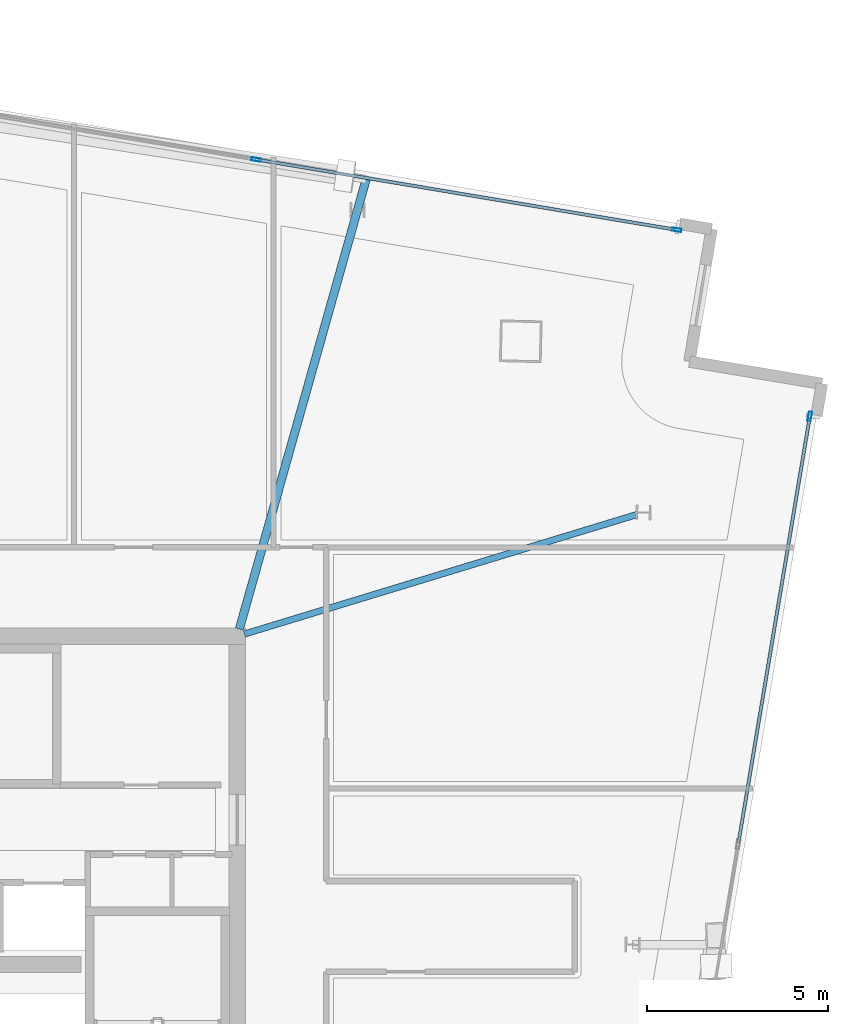
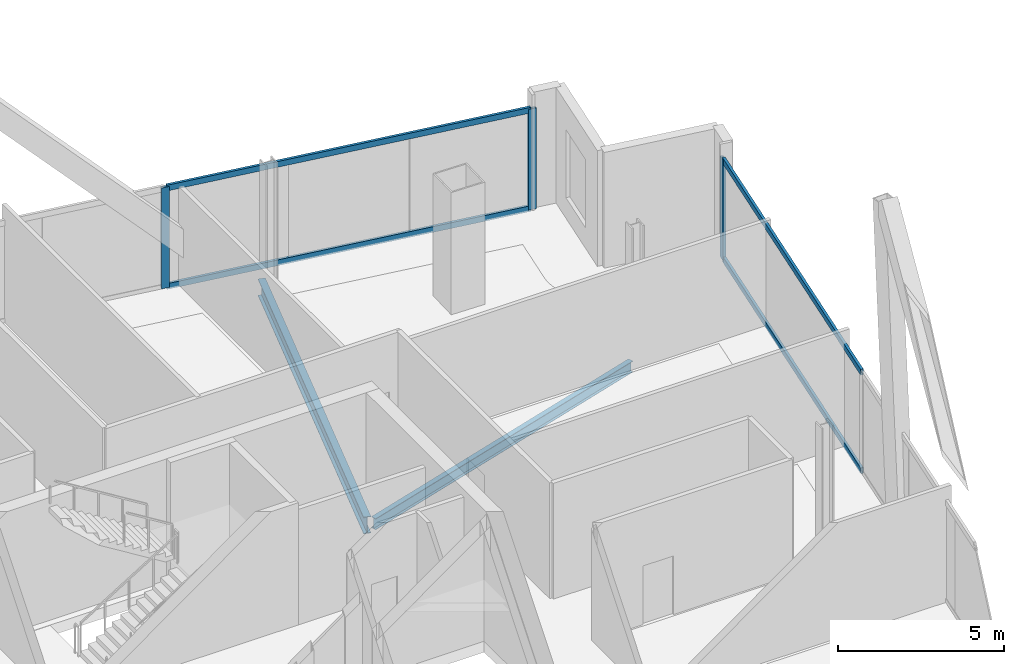
# One storey, part 11 of 18: 7 members, 2 beams, 2 elements without a shape of their own.
"""IFC4 building model written with IfcOpenShell, lengths in metres."""

from ifc_helpers import new_model, si_unit, direction, frame, origin, origin_2d, place, context, subcontext, project, spatial, hollow_rectangle, i_section, extrude, material, material_profile, profile_set, type_object, element, aggregate, save


model = new_model("IFC4")

# Units and contexts
model_context = context("Model", 3, precision=1e-05, world=origin(), true_north=direction((0.0, 1.0)))
body_context = subcontext(model_context, "Body", "Model", "MODEL_VIEW")
ifc_project = project(units=[si_unit("LENGTHUNIT", "METRE"), si_unit("AREAUNIT", "SQUARE_METRE"), si_unit("VOLUMEUNIT", "CUBIC_METRE"), si_unit("PLANEANGLEUNIT", "RADIAN"), si_unit("MASSUNIT", "GRAM", prefix="KILO")], contexts=[model_context])

# Site, building, storey
site_placement = place(None, origin())
site = spatial("IfcSite", under=ifc_project, at=site_placement, CompositionType="ELEMENT")
building_placement = place(site_placement, origin())
building = spatial("IfcBuilding", under=site, at=building_placement, Name="Haldenkirk Collegiate Tower", CompositionType="ELEMENT")
storey_placement = place(building_placement, frame((0.0, 0.0, 298.199951171875)))
storey = spatial("IfcBuildingStorey", under=building, at=storey_placement, Name="L75", CompositionType="ELEMENT", Elevation=298.199951171875)

# Beams
ifc_material_1 = material(Name="Steel ASTM A992 Grade 50", Category="steel")
ifc_material_profile_1 = material_profile(ifc_material_1, i_section(OverallWidth=0.22998046875, OverallDepth=0.616943359375, WebThickness=0.01318359375, FlangeThickness=0.022216796875, at=origin_2d()), Name="W24X94")
ifc_profile_set_1 = profile_set([ifc_material_profile_1], Name="Steel ASTM A992 Grade 50")
beam_type_1 = type_object("IfcBeamType", Name="BM-GIRDER-W24X94", PredefinedType="BEAM", material=ifc_profile_set_1)
beam_1_placement = place(storey_placement, frame((48.55029296875, 46.591064453125, -0.70849609375), z_axis=(-0.271384061225, -0.962471137912, 0.0), x_axis=(0.962471137912, -0.271384061225, 0.0)))
element("IfcBeam", 1, at=beam_1_placement, inside=storey, type_object=beam_type_1, Name="L75 primary floor girder 08", PredefinedType="BEAM", context=body_context, shape_type="SweptSolid", body=[
    extrude(i_section(OverallWidth=0.22998046875, OverallDepth=0.616943359375, WebThickness=0.01318359375, FlangeThickness=0.022216796875, at=origin_2d()), origin(), (0.0, 0.0, 1.0), 12.876953125),
])
ifc_material_profile_2 = material_profile(ifc_material_1, i_section(OverallWidth=0.177978515625, OverallDepth=0.406005859375, WebThickness=0.0078125, FlangeThickness=0.0126953125, at=origin_2d()), Name="W16X40")
ifc_profile_set_2 = profile_set([ifc_material_profile_2], Name="Steel ASTM A992 Grade 50")
beam_type_2 = type_object("IfcBeamType", Name="BM-JOIST-W16X40", PredefinedType="JOIST", material=ifc_profile_set_2)
beam_2_placement = place(storey_placement, frame((56.015380859375, 37.353759765625, -0.60302734375), z_axis=(-0.956646687175, -0.291250950071, 0.0), x_axis=(0.291250950071, -0.956646687175, 0.0)))
element("IfcBeam", 2, at=beam_2_placement, inside=storey, type_object=beam_type_2, Name="L75 composite floor joist 07", PredefinedType="JOIST", context=body_context, shape_type="SweptSolid", body=[
    extrude(i_section(OverallWidth=0.177978515625, OverallDepth=0.406005859375, WebThickness=0.0078125, FlangeThickness=0.0126953125, at=origin_2d()), origin(), (0.0, 0.0, 1.0), 11.3095703125),
])

# Curtain wall, member
ifc_material_2 = material(Name="Anodised architectural bronze aluminium", Category="aluminium")
curtain_wall_type = type_object("IfcCurtainWallType", Name="CW-SYS4-SKYGARDEN", PredefinedType="USERDEFINED", material=ifc_material_2)
curtain_wall_1_placement = place(storey_placement, origin())
curtain_wall_1 = element("IfcCurtainWall", 3, at=curtain_wall_1_placement, inside=storey, type_object=curtain_wall_type, Name="L75 Sky-garden tall bronze curtain wall", ObjectType="UNITISED CURTAIN WALL", PredefinedType="USERDEFINED")
ifc_material_profile_3 = material_profile(ifc_material_2, hollow_rectangle(XDim=0.090087890625, YDim=0.260009765625, WallThickness=0.0048828125, at=origin_2d()), Name="CW-MUL-04")
ifc_profile_set_3 = profile_set([ifc_material_profile_3], Name="Anodised architectural bronze aluminium")
member_type_1 = type_object("IfcMemberType", Name="CW-MUL-04", PredefinedType="MULLION", material=ifc_profile_set_3)
member_1_placement = place(storey_placement, frame((60.7802734375, 40.057861328125, 0.0), z_axis=(0.0, 0.0, 1.0), x_axis=(0.986285150019, -0.165050304006, 0.0)))
member_1 = element("IfcMember", 4, at=member_1_placement, type_object=member_type_1, Name="CW-04 mullion 1", PredefinedType="MULLION", context=body_context, shape_type="SweptSolid", body=[
    extrude(hollow_rectangle(XDim=0.090087890625, YDim=0.260009765625, WallThickness=0.0048828125, at=origin_2d()), origin(), (0.0, 0.0, 1.0), 3.697998046875),
])

# Curtain wall, members
curtain_wall_2_placement = place(storey_placement, origin())
curtain_wall_2 = element("IfcCurtainWall", 5, at=curtain_wall_2_placement, inside=storey, type_object=curtain_wall_type, Name="L75 Sky-garden tall bronze curtain wall", ObjectType="UNITISED CURTAIN WALL", PredefinedType="USERDEFINED")
member_2_placement = place(storey_placement, frame((45.51953125, 47.138671875, 0.0), z_axis=(0.0, 0.0, 1.0), x_axis=(0.165048518423, 0.986285448826, 0.0)))
member_2 = element("IfcMember", 6, at=member_2_placement, type_object=member_type_1, Name="CW-04 mullion 3", PredefinedType="MULLION", context=body_context, shape_type="SweptSolid", body=[
    extrude(hollow_rectangle(XDim=0.090087890625, YDim=0.260009765625, WallThickness=0.0048828125, at=origin_2d()), origin(), (0.0, 0.0, 1.0), 3.697998046875),
])
member_3_placement = place(storey_placement, frame((57.11328125, 45.19873046875, 0.0), z_axis=(0.0, 0.0, 1.0), x_axis=(0.165048518423, 0.986285448826, 0.0)))
member_3 = element("IfcMember", 7, at=member_3_placement, type_object=member_type_1, Name="CW-04 mullion 4", PredefinedType="MULLION", context=body_context, shape_type="SweptSolid", body=[
    extrude(hollow_rectangle(XDim=0.090087890625, YDim=0.260009765625, WallThickness=0.0048828125, at=origin_2d()), origin(), (0.0, 0.0, 1.0), 3.697998046875),
])

# Member
ifc_material_profile_4 = material_profile(ifc_material_2, hollow_rectangle(XDim=0.090087890625, YDim=0.2099609375, WallThickness=0.0048828125, at=origin_2d()), Name="CW-TRN-04")
ifc_profile_set_4 = profile_set([ifc_material_profile_4], Name="Anodised architectural bronze aluminium")
member_type_2 = type_object("IfcMemberType", Name="CW-TRN-04", PredefinedType="USERDEFINED", material=ifc_profile_set_4)
member_4_placement = place(storey_placement, frame((60.772705078125, 40.013427734375, 0.045166015625), z_axis=(-0.165046286019, -0.986285822402, 0.0), x_axis=(0.986285822402, -0.165046286019, 0.0)))
member_4 = element("IfcMember", 8, at=member_4_placement, type_object=member_type_2, Name="CW-04 transom 1.1", ObjectType="TRANSOM", PredefinedType="USERDEFINED", context=body_context, shape_type="SweptSolid", body=[
    extrude(hollow_rectangle(XDim=0.090087890625, YDim=0.2099609375, WallThickness=0.0048828125, at=origin_2d()), origin(), (0.0, 0.0, 1.0), 11.86474609375),
])

member_5_placement = place(storey_placement, frame((60.772705078125, 40.013427734375, 3.653076171875), z_axis=(-0.165046286019, -0.986285822402, 0.0), x_axis=(0.986285822402, -0.165046286019, 0.0)))
member_5 = element("IfcMember", 9, at=member_5_placement, type_object=member_type_2, Name="CW-04 transom 1.2", ObjectType="TRANSOM", PredefinedType="USERDEFINED", context=body_context, shape_type="SweptSolid", body=[
    extrude(hollow_rectangle(XDim=0.090087890625, YDim=0.2099609375, WallThickness=0.0048828125, at=origin_2d()), origin(), (0.0, 0.0, 1.0), 11.86474609375),
])

aggregate(curtain_wall_1, [member_1, member_4, member_5])

member_6_placement = place(storey_placement, frame((45.56396484375, 47.13134765625, 0.045166015625), z_axis=(0.98628510108, -0.16505059645, 0.0), x_axis=(0.16505059645, 0.98628510108, 0.0)))
member_6 = element("IfcMember", 10, at=member_6_placement, type_object=member_type_2, Name="CW-04 transom 3.1", ObjectType="TRANSOM", PredefinedType="USERDEFINED", context=body_context, shape_type="SweptSolid", body=[
    extrude(hollow_rectangle(XDim=0.090087890625, YDim=0.2099609375, WallThickness=0.0048828125, at=origin_2d()), origin(), (0.0, 0.0, 1.0), 11.664794921875),
])

member_7_placement = place(storey_placement, frame((45.56396484375, 47.13134765625, 3.653076171875), z_axis=(0.98628510108, -0.16505059645, 0.0), x_axis=(0.16505059645, 0.98628510108, 0.0)))
member_7 = element("IfcMember", 11, at=member_7_placement, type_object=member_type_2, Name="CW-04 transom 3.2", ObjectType="TRANSOM", PredefinedType="USERDEFINED", context=body_context, shape_type="SweptSolid", body=[
    extrude(hollow_rectangle(XDim=0.090087890625, YDim=0.2099609375, WallThickness=0.0048828125, at=origin_2d()), origin(), (0.0, 0.0, 1.0), 11.664794921875),
])

aggregate(curtain_wall_2, [member_2, member_3, member_6, member_7])

save(model, "model.ifc")
